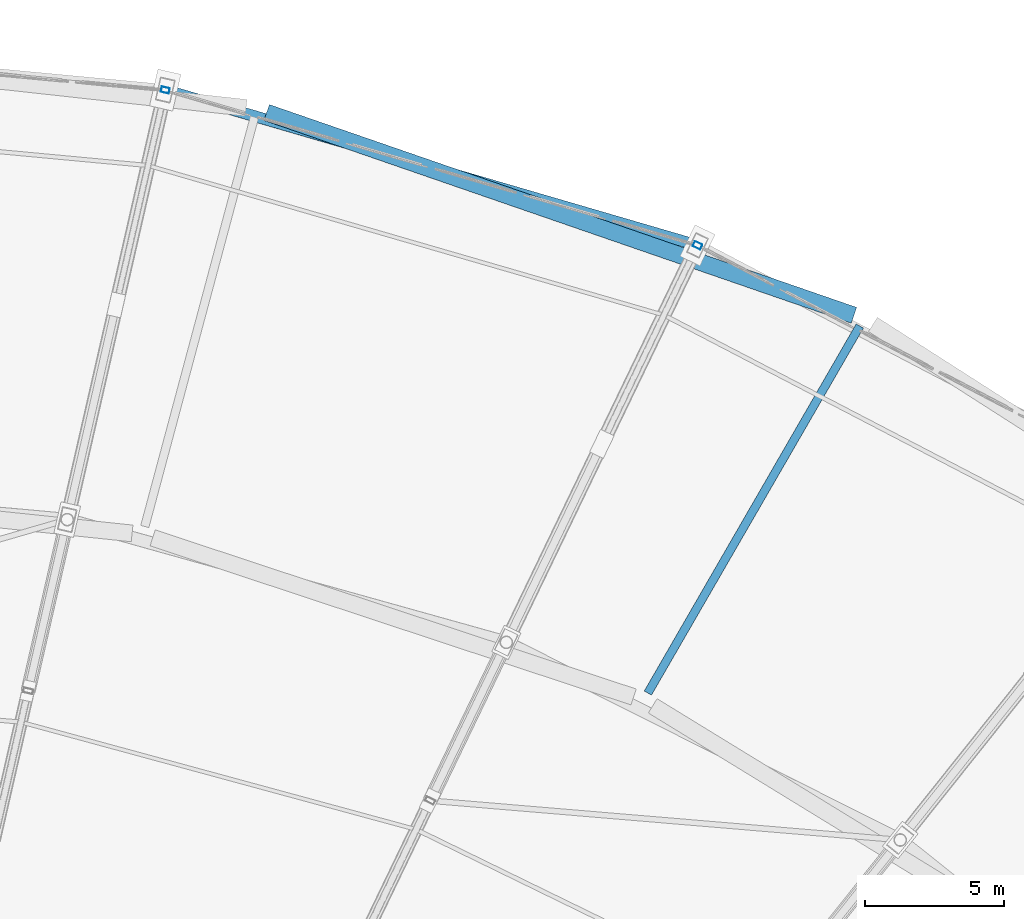
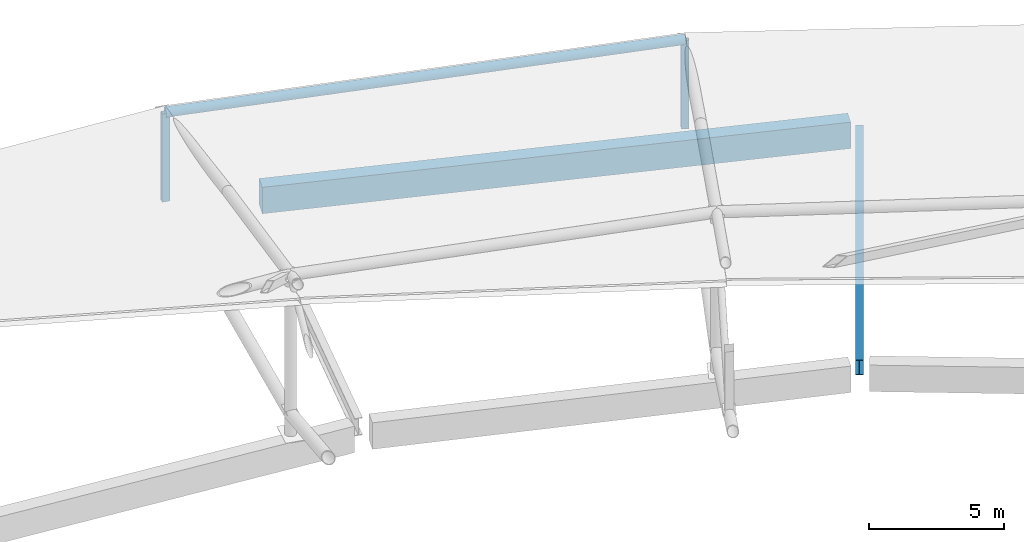
# One storey, part 87 of 108: 3 members, 2 beams.
"""IFC4 building model written with IfcOpenShell, lengths in metres."""

from ifc_helpers import new_model, si_unit, direction, frame, origin, origin_2d, place, context, subcontext, project, spatial, rectangle, hollow_rectangle, hollow_circle, i_section, extrude, material, material_profile, profile_set, type_object, element, save


model = new_model("IFC4")

# Units and contexts
model_context = context("Model", 3, precision=1e-05, world=origin(), true_north=direction((0.0, 1.0)))
body_context = subcontext(model_context, "Body", "Model", "MODEL_VIEW")
ifc_project = project(units=[si_unit("LENGTHUNIT", "METRE"), si_unit("AREAUNIT", "SQUARE_METRE"), si_unit("VOLUMEUNIT", "CUBIC_METRE"), si_unit("PLANEANGLEUNIT", "RADIAN"), si_unit("MASSUNIT", "GRAM", prefix="KILO")], contexts=[model_context])

# Site, building, storey
site_placement = place(None, origin())
site = spatial("IfcSite", under=ifc_project, at=site_placement, CompositionType="ELEMENT")
building_placement = place(site_placement, origin())
building = spatial("IfcBuilding", under=site, at=building_placement, Name="Zevraka Park Crest Stadium", CompositionType="ELEMENT")
storey_placement = place(building_placement, frame((0.0, 0.0, 29.39990234375)))
storey = spatial("IfcBuildingStorey", under=building, at=storey_placement, Name="RF", CompositionType="ELEMENT", Elevation=29.39990234375)

# Beams
ifc_material_1 = material(Name="Steel S355", Category="steel")
ifc_material_profile_1 = material_profile(ifc_material_1, i_section(OverallWidth=0.300048828125, OverallDepth=0.699951171875, WebThickness=0.01708984375, FlangeThickness=0.031982421875, at=origin_2d()), Name="HEB 700")
ifc_profile_set_1 = profile_set([ifc_material_profile_1], Name="Steel S355")
beam_type_1 = type_object("IfcBeamType", Name="BG06", PredefinedType="BEAM", material=ifc_profile_set_1)
beam_1_placement = place(storey_placement, frame((149.39990234375, 143.7890625, -0.534912109375), z_axis=(0.500026023896, 0.86601037836, 0.0), x_axis=(-0.86601037836, 0.500026023896, 0.0)))
element("IfcBeam", 1, at=beam_1_placement, inside=storey, type_object=beam_type_1, Name="Radial Girder BG06 RF-BD-04", PredefinedType="BEAM", context=body_context, shape_type="SweptSolid", body=[
    extrude(i_section(OverallWidth=0.300048828125, OverallDepth=0.699951171875, WebThickness=0.01708984375, FlangeThickness=0.031982421875, at=origin_2d()), origin(), (0.0, 0.0, 1.0), 15.199462890625),
])
ifc_material_2 = material(Name="Concrete C40/50", Category="concrete")
ifc_material_profile_2 = material_profile(ifc_material_2, rectangle(XDim=0.60009765625, YDim=1.199951171875, at=origin_2d()), Name="RC 1200x600")
ifc_profile_set_2 = profile_set([ifc_material_profile_2], Name="Concrete C40/50")
beam_type_2 = type_object("IfcBeamType", Name="RB01", PredefinedType="BEAM", material=ifc_profile_set_2)
beam_2_placement = place(storey_placement, frame((156.791015625, 157.3359375, -0.599853515625), z_axis=(-0.945210431582, 0.326461697644, 0.0), x_axis=(-0.326461697644, -0.945210431582, 0.0)))
element("IfcBeam", 2, at=beam_2_placement, inside=storey, type_object=beam_type_2, Name="Ring Beam RB01 RF-D-04", PredefinedType="BEAM", context=body_context, shape_type="SweptSolid", body=[
    extrude(rectangle(XDim=0.60009765625, YDim=1.199951171875, at=origin_2d()), origin(), (0.0, 0.0, 1.0), 22.28173828125),
])

# Members
ifc_material_3 = material(Name="Steel S355", Category="steel")
ifc_material_profile_3 = material_profile(ifc_material_3, hollow_circle(Radius=0.203125, WallThickness=0.02001953125, at=origin_2d()), Name="CHS 406.4x20")
ifc_profile_set_3 = profile_set([ifc_material_profile_3], Name="Steel S355")
member_type_1 = type_object("IfcMemberType", Name="TC03", PredefinedType="CHORD", material=ifc_profile_set_3)
member_placement = place(storey_placement, frame((151.179931640625, 159.843017578125, 4.0), z_axis=(-0.959968086518, 0.280109394463, 0.0), x_axis=(-0.280109394463, -0.959968086518, 0.0)))
element("IfcMember", 3, at=member_placement, inside=storey, type_object=member_type_1, Name="Roof Outer Canopy Ring Chord TC03 06", PredefinedType="CHORD", context=body_context, shape_type="SweptSolid", body=[
    extrude(hollow_circle(Radius=0.203125, WallThickness=0.02001953125, at=origin_2d()), origin(), (0.0, 0.0, 1.0), 19.8818359375),
])
ifc_material_4 = material(Name="Steel S355", Category="steel")
ifc_material_profile_4 = material_profile(ifc_material_4, hollow_rectangle(XDim=0.199951171875, YDim=0.300048828125, WallThickness=0.012451171875, at=origin_2d()), Name="RHS 300x200x12.5")
ifc_profile_set_4 = profile_set([ifc_material_profile_4], Name="Steel S355")
member_type_2 = type_object("IfcMemberType", Name="WB03", PredefinedType="BRACE", material=ifc_profile_set_4)
for number, where, z_axis, x_axis, name in (
    (4, (151.179931640625, 159.843017578125, 0.0), (0.0, 0.0, 1.0), (0.43381634559, 0.90100131981, 0.0), "Roof Truss Anchor Strut WB03 T06-0"),
    (5, (132.093994140625, 165.412109375, 0.0), (0.0, 0.0, 1.0), (0.222569549971, 0.974916814618, 0.0), "Roof Truss Anchor Strut WB03 T07-0"),
):
    element("IfcMember", number, at=place(storey_placement, frame(where, z_axis=z_axis, x_axis=x_axis)), inside=storey, type_object=member_type_2, Name=name, PredefinedType="BRACE", context=body_context, shape_type="SweptSolid", body=[
        extrude(hollow_rectangle(XDim=0.199951171875, YDim=0.300048828125, WallThickness=0.012451171875, at=origin_2d()), origin(), (0.0, 0.0, 1.0), 4.0),
    ])

save(model, "model.ifc")
